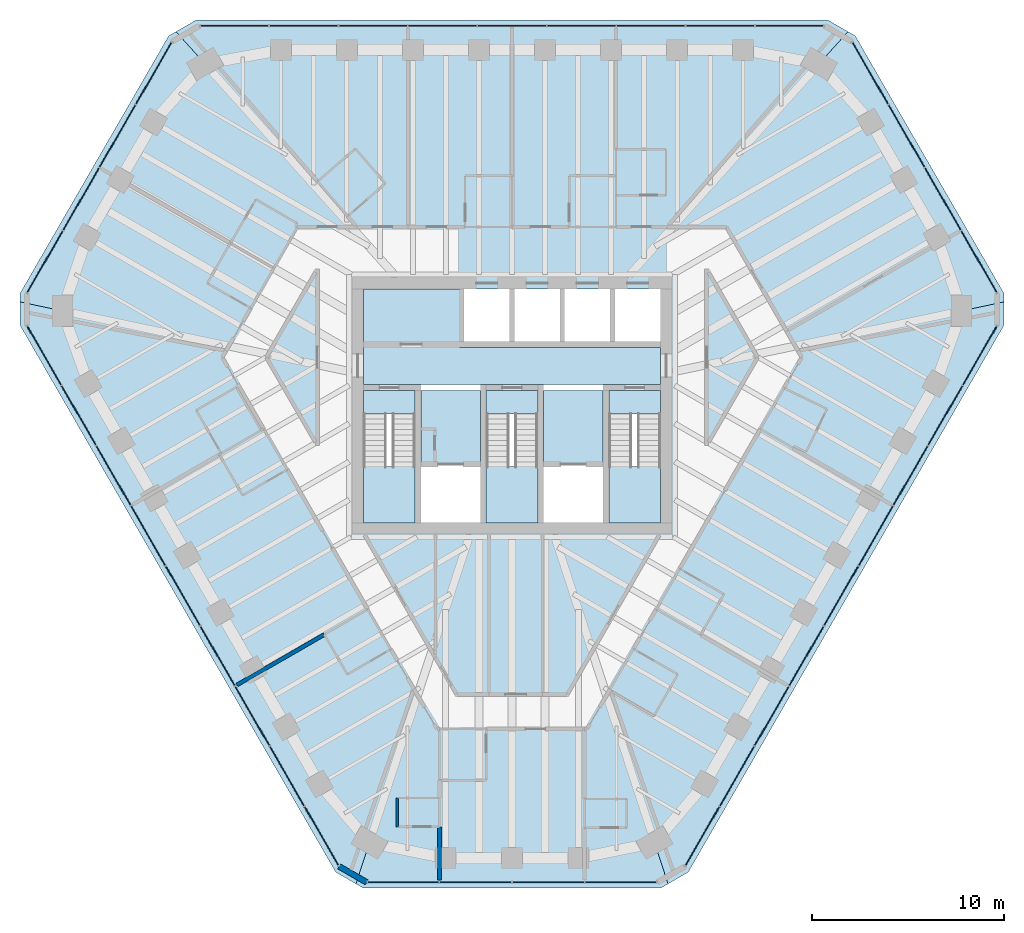
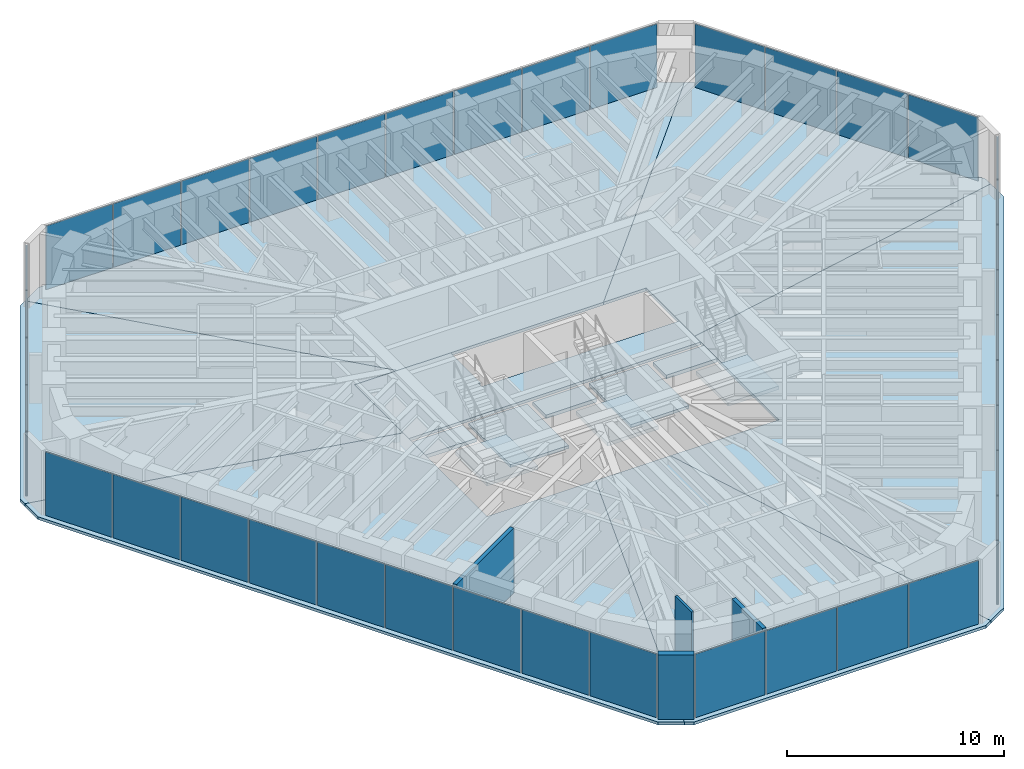
# One storey, part 8 of 14: 39 plates, 15 slabs, 4 walls, 9 elements without a shape of their own.
"""IFC4 building model written with IfcOpenShell, lengths in metres."""

from ifc_helpers import new_model, si_unit, direction, frame, frame_2d, origin, origin_2d, place, context, subcontext, project, spatial, polyline, rectangle, outline, extrude, material, layer, layer_set, type_object, element, aggregate, save


model = new_model("IFC4")

# Units and contexts
model_context = context("Model", 3, precision=1e-05, world=origin(), true_north=direction((0.0, 1.0)))
body_context = subcontext(model_context, "Body", "Model", "MODEL_VIEW")
ifc_project = project(units=[si_unit("LENGTHUNIT", "METRE"), si_unit("AREAUNIT", "SQUARE_METRE"), si_unit("VOLUMEUNIT", "CUBIC_METRE"), si_unit("PLANEANGLEUNIT", "RADIAN"), si_unit("MASSUNIT", "GRAM", prefix="KILO")], contexts=[model_context])

# Site, building, storey
site_placement = place(None, origin())
site = spatial("IfcSite", under=ifc_project, at=site_placement, CompositionType="ELEMENT")
building_placement = place(site_placement, origin())
building = spatial("IfcBuilding", under=site, at=building_placement, Name="Sandreach Pilgrim Tower", CompositionType="ELEMENT")
storey_placement = place(building_placement, frame((0.0, 0.0, 295.0)))
storey = spatial("IfcBuildingStorey", under=building, at=storey_placement, Name="L74", CompositionType="ELEMENT", Elevation=295.0)

# Curtain wall, plates
ifc_material_1 = material(Name="Aluminium framed curtain wall", Category="aluminium")
curtain_wall_type = type_object("IfcCurtainWallType", Name="Suite tower curtain wall", PredefinedType="NOTDEFINED", material=ifc_material_1)
curtain_wall_1_placement = place(storey_placement, origin())
curtain_wall_1 = element("IfcCurtainWall", 1, at=curtain_wall_1_placement, inside=storey, type_object=curtain_wall_type, Name="CW-4 L74 N", PredefinedType="NOTDEFINED")
ifc_material_2 = material(Name="Insulating glass unit 16.76 laminated + 24 argon + 16.76 laminated", Category="glass")
ifc_layer_1 = layer(ifc_material_2, 0.05810546875)
ifc_layer_set_1 = layer_set([ifc_layer_1], Name="CW-4 panel")
plate_type = type_object("IfcPlateType", Name="CW-4 panel", PredefinedType="CURTAIN_PANEL", material=ifc_layer_set_1)
plate_1_placement = place(storey_placement, frame((-14.472412109375, 19.826416015625, 0.0), z_axis=(0.0, 0.0, 1.0), x_axis=(1.0, 0.0, 0.0)))
plate_1 = element("IfcPlate", 2, at=plate_1_placement, type_object=plate_type, Name="CW-4 panel 1", PredefinedType="CURTAIN_PANEL", context=body_context, shape_type="SweptSolid", body=[
    extrude(rectangle(XDim=3.531982421875, YDim=0.05810546875, at=origin_2d()), origin(), (0.0, 0.0, 1.0), 3.570068359375),
])
plate_2_placement = place(storey_placement, frame((-10.865478515625, 19.826416015625, 0.0), z_axis=(0.0, 0.0, 1.0), x_axis=(1.0, 0.0, 0.0)))
plate_2 = element("IfcPlate", 3, at=plate_2_placement, type_object=plate_type, Name="CW-4 panel 2", PredefinedType="CURTAIN_PANEL", context=body_context, shape_type="SweptSolid", body=[
    extrude(rectangle(XDim=3.561767578125, YDim=0.05810546875, at=origin_2d()), origin(), (0.0, 0.0, 1.0), 3.570068359375),
])
plate_3_placement = place(storey_placement, frame((-7.24365234375, 19.826416015625, 0.0), z_axis=(0.0, 0.0, 1.0), x_axis=(1.0, 0.0, 0.0)))
plate_3 = element("IfcPlate", 4, at=plate_3_placement, type_object=plate_type, Name="CW-4 panel 3", PredefinedType="CURTAIN_PANEL", context=body_context, shape_type="SweptSolid", body=[
    extrude(rectangle(XDim=3.561767578125, YDim=0.05810546875, at=origin_2d()), origin(), (0.0, 0.0, 1.0), 3.570068359375),
])
plate_4_placement = place(storey_placement, frame((-3.621826171875, 19.826416015625, 0.0), z_axis=(0.0, 0.0, 1.0), x_axis=(1.0, 0.0, 0.0)))
plate_4 = element("IfcPlate", 5, at=plate_4_placement, type_object=plate_type, Name="CW-4 panel 4", PredefinedType="CURTAIN_PANEL", context=body_context, shape_type="SweptSolid", body=[
    extrude(rectangle(XDim=3.561767578125, YDim=0.05810546875, at=origin_2d()), origin(), (0.0, 0.0, 1.0), 3.570068359375),
])
plate_5_placement = place(storey_placement, frame((0.0, 19.826416015625, 0.0), z_axis=(0.0, 0.0, 1.0), x_axis=(1.0, 0.0, 0.0)))
plate_5 = element("IfcPlate", 6, at=plate_5_placement, type_object=plate_type, Name="CW-4 panel 5", PredefinedType="CURTAIN_PANEL", context=body_context, shape_type="SweptSolid", body=[
    extrude(rectangle(XDim=3.561767578125, YDim=0.05810546875, at=origin_2d()), origin(), (0.0, 0.0, 1.0), 3.570068359375),
])
plate_6_placement = place(storey_placement, frame((3.621826171875, 19.826416015625, 0.0), z_axis=(0.0, 0.0, 1.0), x_axis=(1.0, 0.0, 0.0)))
plate_6 = element("IfcPlate", 7, at=plate_6_placement, type_object=plate_type, Name="CW-4 panel 6", PredefinedType="CURTAIN_PANEL", context=body_context, shape_type="SweptSolid", body=[
    extrude(rectangle(XDim=3.561767578125, YDim=0.05810546875, at=origin_2d()), origin(), (0.0, 0.0, 1.0), 3.570068359375),
])
plate_7_placement = place(storey_placement, frame((7.24365234375, 19.826416015625, 0.0), z_axis=(0.0, 0.0, 1.0), x_axis=(1.0, 0.0, 0.0)))
plate_7 = element("IfcPlate", 8, at=plate_7_placement, type_object=plate_type, Name="CW-4 panel 7", PredefinedType="CURTAIN_PANEL", context=body_context, shape_type="SweptSolid", body=[
    extrude(rectangle(XDim=3.561767578125, YDim=0.05810546875, at=origin_2d()), origin(), (0.0, 0.0, 1.0), 3.570068359375),
])
plate_8_placement = place(storey_placement, frame((10.865478515625, 19.826416015625, 0.0), z_axis=(0.0, 0.0, 1.0), x_axis=(1.0, 0.0, 0.0)))
plate_8 = element("IfcPlate", 9, at=plate_8_placement, type_object=plate_type, Name="CW-4 panel 8", PredefinedType="CURTAIN_PANEL", context=body_context, shape_type="SweptSolid", body=[
    extrude(rectangle(XDim=3.561767578125, YDim=0.05810546875, at=origin_2d()), origin(), (0.0, 0.0, 1.0), 3.570068359375),
])
plate_9_placement = place(storey_placement, frame((14.472412109375, 19.826416015625, 0.0), z_axis=(0.0, 0.0, 1.0), x_axis=(1.0, 0.0, 0.0)))
plate_9 = element("IfcPlate", 10, at=plate_9_placement, type_object=plate_type, Name="CW-4 panel 9", PredefinedType="CURTAIN_PANEL", context=body_context, shape_type="SweptSolid", body=[
    extrude(rectangle(XDim=3.531982421875, YDim=0.05810546875, at=origin_2d()), origin(), (0.0, 0.0, 1.0), 3.570068359375),
])
aggregate(curtain_wall_1, [plate_1, plate_2, plate_3, plate_4, plate_5, plate_6, plate_7, plate_8, plate_9])

curtain_wall_2_placement = place(storey_placement, origin())
curtain_wall_2 = element("IfcCurtainWall", 11, at=curtain_wall_2_placement, inside=storey, type_object=curtain_wall_type, Name="CW-4 L74 NE", PredefinedType="NOTDEFINED")
plate_10_placement = place(storey_placement, frame((18.69140625, 17.341552734375, 0.0), z_axis=(0.0, 0.0, 1.0), x_axis=(0.5, -0.866025403784, 0.0)))
plate_10 = element("IfcPlate", 12, at=plate_10_placement, type_object=plate_type, Name="CW-4 panel 1", PredefinedType="CURTAIN_PANEL", context=body_context, shape_type="SweptSolid", body=[
    extrude(rectangle(XDim=3.70166015625, YDim=0.05810546875, at=origin_2d()), origin(), (0.0, 0.0, 1.0), 3.570068359375),
])
plate_11_placement = place(storey_placement, frame((20.579833984375, 14.07080078125, 0.0), z_axis=(0.0, 0.0, 1.0), x_axis=(0.5, -0.866025403784, 0.0)))
plate_11 = element("IfcPlate", 13, at=plate_11_placement, type_object=plate_type, Name="CW-4 panel 2", PredefinedType="CURTAIN_PANEL", context=body_context, shape_type="SweptSolid", body=[
    extrude(rectangle(XDim=3.731689453125, YDim=0.05810546875, at=origin_2d()), origin(), (0.0, 0.0, 1.0), 3.570068359375),
])
plate_12_placement = place(storey_placement, frame((22.4755859375, 10.787109375, 0.0), z_axis=(0.0, 0.0, 1.0), x_axis=(0.5, -0.866025403784, 0.0)))
plate_12 = element("IfcPlate", 14, at=plate_12_placement, type_object=plate_type, Name="CW-4 panel 3", PredefinedType="CURTAIN_PANEL", context=body_context, shape_type="SweptSolid", body=[
    extrude(rectangle(XDim=3.731689453125, YDim=0.05810546875, at=origin_2d()), origin(), (0.0, 0.0, 1.0), 3.570068359375),
])
plate_13_placement = place(storey_placement, frame((24.364013671875, 7.516357421875, 0.0), z_axis=(0.0, 0.0, 1.0), x_axis=(0.5, -0.866025403784, 0.0)))
plate_13 = element("IfcPlate", 15, at=plate_13_placement, type_object=plate_type, Name="CW-4 panel 4", PredefinedType="CURTAIN_PANEL", context=body_context, shape_type="SweptSolid", body=[
    extrude(rectangle(XDim=3.70166015625, YDim=0.05810546875, at=origin_2d()), origin(), (0.0, 0.0, 1.0), 3.570068359375),
])
aggregate(curtain_wall_2, [plate_10, plate_11, plate_12, plate_13])

curtain_wall_3_placement = place(storey_placement, origin())
curtain_wall_3 = element("IfcCurtainWall", 16, at=curtain_wall_3_placement, inside=storey, type_object=curtain_wall_type, Name="CW-4 L74 SE", PredefinedType="NOTDEFINED")
plate_14_placement = place(storey_placement, frame((24.406494140625, 2.620361328125, 0.0), z_axis=(0.0, 0.0, 1.0), x_axis=(-0.5, -0.866025403784, 0.0)))
plate_14 = element("IfcPlate", 17, at=plate_14_placement, type_object=plate_type, Name="CW-4 panel 1", PredefinedType="CURTAIN_PANEL", context=body_context, shape_type="SweptSolid", body=[
    extrude(rectangle(XDim=3.531982421875, YDim=0.05810546875, at=origin_2d()), origin(), (0.0, 0.0, 1.0), 3.570068359375),
])
plate_15_placement = place(storey_placement, frame((22.60302734375, -0.50341796875, 0.0), z_axis=(0.0, 0.0, 1.0), x_axis=(-0.5, -0.866025403784, 0.0)))
plate_15 = element("IfcPlate", 18, at=plate_15_placement, type_object=plate_type, Name="CW-4 panel 2", PredefinedType="CURTAIN_PANEL", context=body_context, shape_type="SweptSolid", body=[
    extrude(rectangle(XDim=3.561767578125, YDim=0.05810546875, at=origin_2d()), origin(), (0.0, 0.0, 1.0), 3.570068359375),
])
plate_16_placement = place(storey_placement, frame((20.7919921875, -3.639892578125, 0.0), z_axis=(0.0, 0.0, 1.0), x_axis=(-0.5, -0.866025403784, 0.0)))
plate_16 = element("IfcPlate", 19, at=plate_16_placement, type_object=plate_type, Name="CW-4 panel 3", PredefinedType="CURTAIN_PANEL", context=body_context, shape_type="SweptSolid", body=[
    extrude(rectangle(XDim=3.561767578125, YDim=0.05810546875, at=origin_2d()), origin(), (0.0, 0.0, 1.0), 3.570068359375),
])
plate_17_placement = place(storey_placement, frame((18.981201171875, -6.776611328125, 0.0), z_axis=(0.0, 0.0, 1.0), x_axis=(-0.5, -0.866025403784, 0.0)))
plate_17 = element("IfcPlate", 20, at=plate_17_placement, type_object=plate_type, Name="CW-4 panel 4", PredefinedType="CURTAIN_PANEL", context=body_context, shape_type="SweptSolid", body=[
    extrude(rectangle(XDim=3.561767578125, YDim=0.05810546875, at=origin_2d()), origin(), (0.0, 0.0, 1.0), 3.570068359375),
])
plate_18_placement = place(storey_placement, frame((17.170166015625, -9.913330078125, 0.0), z_axis=(0.0, 0.0, 1.0), x_axis=(-0.5, -0.866025403784, 0.0)))
plate_18 = element("IfcPlate", 21, at=plate_18_placement, type_object=plate_type, Name="CW-4 panel 5", PredefinedType="CURTAIN_PANEL", context=body_context, shape_type="SweptSolid", body=[
    extrude(rectangle(XDim=3.561767578125, YDim=0.05810546875, at=origin_2d()), origin(), (0.0, 0.0, 1.0), 3.570068359375),
])
plate_19_placement = place(storey_placement, frame((15.359375, -13.0498046875, 0.0), z_axis=(0.0, 0.0, 1.0), x_axis=(-0.5, -0.866025403784, 0.0)))
plate_19 = element("IfcPlate", 22, at=plate_19_placement, type_object=plate_type, Name="CW-4 panel 6", PredefinedType="CURTAIN_PANEL", context=body_context, shape_type="SweptSolid", body=[
    extrude(rectangle(XDim=3.561767578125, YDim=0.05810546875, at=origin_2d()), origin(), (0.0, 0.0, 1.0), 3.570068359375),
])
plate_20_placement = place(storey_placement, frame((13.54833984375, -16.1865234375, 0.0), z_axis=(0.0, 0.0, 1.0), x_axis=(-0.5, -0.866025403784, 0.0)))
plate_20 = element("IfcPlate", 23, at=plate_20_placement, type_object=plate_type, Name="CW-4 panel 7", PredefinedType="CURTAIN_PANEL", context=body_context, shape_type="SweptSolid", body=[
    extrude(rectangle(XDim=3.561767578125, YDim=0.05810546875, at=origin_2d()), origin(), (0.0, 0.0, 1.0), 3.570068359375),
])
plate_21_placement = place(storey_placement, frame((11.7373046875, -19.322998046875, 0.0), z_axis=(0.0, 0.0, 1.0), x_axis=(-0.5, -0.866025403784, 0.0)))
plate_21 = element("IfcPlate", 24, at=plate_21_placement, type_object=plate_type, Name="CW-4 panel 8", PredefinedType="CURTAIN_PANEL", context=body_context, shape_type="SweptSolid", body=[
    extrude(rectangle(XDim=3.561767578125, YDim=0.05810546875, at=origin_2d()), origin(), (0.0, 0.0, 1.0), 3.570068359375),
])
plate_22_placement = place(storey_placement, frame((9.93408203125, -22.44677734375, 0.0), z_axis=(0.0, 0.0, 1.0), x_axis=(-0.5, -0.866025403784, 0.0)))
plate_22 = element("IfcPlate", 25, at=plate_22_placement, type_object=plate_type, Name="CW-4 panel 9", PredefinedType="CURTAIN_PANEL", context=body_context, shape_type="SweptSolid", body=[
    extrude(rectangle(XDim=3.531982421875, YDim=0.05810546875, at=origin_2d()), origin(), (0.0, 0.0, 1.0), 3.570068359375),
])
aggregate(curtain_wall_3, [plate_14, plate_15, plate_16, plate_17, plate_18, plate_19, plate_20, plate_21, plate_22])

curtain_wall_4_placement = place(storey_placement, origin())
curtain_wall_4 = element("IfcCurtainWall", 26, at=curtain_wall_4_placement, inside=storey, type_object=curtain_wall_type, Name="CW-4 L74 S", PredefinedType="NOTDEFINED")
plate_23_placement = place(storey_placement, frame((5.672607421875, -24.858154296875, 0.0), z_axis=(0.0, 0.0, 1.0), x_axis=(-1.0, 0.0, 0.0)))
plate_23 = element("IfcPlate", 27, at=plate_23_placement, type_object=plate_type, Name="CW-4 panel 1", PredefinedType="CURTAIN_PANEL", context=body_context, shape_type="SweptSolid", body=[
    extrude(rectangle(XDim=3.70166015625, YDim=0.05810546875, at=origin_2d()), origin(), (0.0, 0.0, 1.0), 3.570068359375),
])
plate_24_placement = place(storey_placement, frame((1.895751953125, -24.858154296875, 0.0), z_axis=(0.0, 0.0, 1.0), x_axis=(-1.0, 0.0, 0.0)))
plate_24 = element("IfcPlate", 28, at=plate_24_placement, type_object=plate_type, Name="CW-4 panel 2", PredefinedType="CURTAIN_PANEL", context=body_context, shape_type="SweptSolid", body=[
    extrude(rectangle(XDim=3.731689453125, YDim=0.05810546875, at=origin_2d()), origin(), (0.0, 0.0, 1.0), 3.570068359375),
])
plate_25_placement = place(storey_placement, frame((-1.895751953125, -24.858154296875, 0.0), z_axis=(0.0, 0.0, 1.0), x_axis=(-1.0, 0.0, 0.0)))
plate_25 = element("IfcPlate", 29, at=plate_25_placement, type_object=plate_type, Name="CW-4 panel 3", PredefinedType="CURTAIN_PANEL", context=body_context, shape_type="SweptSolid", body=[
    extrude(rectangle(XDim=3.731689453125, YDim=0.05810546875, at=origin_2d()), origin(), (0.0, 0.0, 1.0), 3.570068359375),
])
plate_26_placement = place(storey_placement, frame((-5.672607421875, -24.858154296875, 0.0), z_axis=(0.0, 0.0, 1.0), x_axis=(-1.0, 0.0, 0.0)))
plate_26 = element("IfcPlate", 30, at=plate_26_placement, type_object=plate_type, Name="CW-4 panel 4", PredefinedType="CURTAIN_PANEL", context=body_context, shape_type="SweptSolid", body=[
    extrude(rectangle(XDim=3.70166015625, YDim=0.05810546875, at=origin_2d()), origin(), (0.0, 0.0, 1.0), 3.570068359375),
])
aggregate(curtain_wall_4, [plate_23, plate_24, plate_25, plate_26])

curtain_wall_5_placement = place(storey_placement, origin())
curtain_wall_5 = element("IfcCurtainWall", 31, at=curtain_wall_5_placement, inside=storey, type_object=curtain_wall_type, Name="CW-4 L74 SW", PredefinedType="NOTDEFINED")
plate_27_placement = place(storey_placement, frame((-9.93408203125, -22.44677734375, 0.0), z_axis=(0.0, 0.0, 1.0), x_axis=(-0.5, 0.866025403784, 0.0)))
plate_27 = element("IfcPlate", 32, at=plate_27_placement, type_object=plate_type, Name="CW-4 panel 1", PredefinedType="CURTAIN_PANEL", context=body_context, shape_type="SweptSolid", body=[
    extrude(rectangle(XDim=3.531982421875, YDim=0.05810546875, at=origin_2d()), origin(), (0.0, 0.0, 1.0), 3.570068359375),
])
plate_28_placement = place(storey_placement, frame((-11.7373046875, -19.322998046875, 0.0), z_axis=(0.0, 0.0, 1.0), x_axis=(-0.5, 0.866025403784, 0.0)))
plate_28 = element("IfcPlate", 33, at=plate_28_placement, type_object=plate_type, Name="CW-4 panel 2", PredefinedType="CURTAIN_PANEL", context=body_context, shape_type="SweptSolid", body=[
    extrude(rectangle(XDim=3.561767578125, YDim=0.05810546875, at=origin_2d()), origin(), (0.0, 0.0, 1.0), 3.570068359375),
])
plate_29_placement = place(storey_placement, frame((-13.54833984375, -16.1865234375, 0.0), z_axis=(0.0, 0.0, 1.0), x_axis=(-0.5, 0.866025403784, 0.0)))
plate_29 = element("IfcPlate", 34, at=plate_29_placement, type_object=plate_type, Name="CW-4 panel 3", PredefinedType="CURTAIN_PANEL", context=body_context, shape_type="SweptSolid", body=[
    extrude(rectangle(XDim=3.561767578125, YDim=0.05810546875, at=origin_2d()), origin(), (0.0, 0.0, 1.0), 3.570068359375),
])
plate_30_placement = place(storey_placement, frame((-15.359375, -13.0498046875, 0.0), z_axis=(0.0, 0.0, 1.0), x_axis=(-0.5, 0.866025403784, 0.0)))
plate_30 = element("IfcPlate", 35, at=plate_30_placement, type_object=plate_type, Name="CW-4 panel 4", PredefinedType="CURTAIN_PANEL", context=body_context, shape_type="SweptSolid", body=[
    extrude(rectangle(XDim=3.561767578125, YDim=0.05810546875, at=origin_2d()), origin(), (0.0, 0.0, 1.0), 3.570068359375),
])
plate_31_placement = place(storey_placement, frame((-17.170166015625, -9.913330078125, 0.0), z_axis=(0.0, 0.0, 1.0), x_axis=(-0.5, 0.866025403784, 0.0)))
plate_31 = element("IfcPlate", 36, at=plate_31_placement, type_object=plate_type, Name="CW-4 panel 5", PredefinedType="CURTAIN_PANEL", context=body_context, shape_type="SweptSolid", body=[
    extrude(rectangle(XDim=3.561767578125, YDim=0.05810546875, at=origin_2d()), origin(), (0.0, 0.0, 1.0), 3.570068359375),
])
plate_32_placement = place(storey_placement, frame((-18.981201171875, -6.776611328125, 0.0), z_axis=(0.0, 0.0, 1.0), x_axis=(-0.5, 0.866025403784, 0.0)))
plate_32 = element("IfcPlate", 37, at=plate_32_placement, type_object=plate_type, Name="CW-4 panel 6", PredefinedType="CURTAIN_PANEL", context=body_context, shape_type="SweptSolid", body=[
    extrude(rectangle(XDim=3.561767578125, YDim=0.05810546875, at=origin_2d()), origin(), (0.0, 0.0, 1.0), 3.570068359375),
])
plate_33_placement = place(storey_placement, frame((-20.7919921875, -3.639892578125, 0.0), z_axis=(0.0, 0.0, 1.0), x_axis=(-0.5, 0.866025403784, 0.0)))
plate_33 = element("IfcPlate", 38, at=plate_33_placement, type_object=plate_type, Name="CW-4 panel 7", PredefinedType="CURTAIN_PANEL", context=body_context, shape_type="SweptSolid", body=[
    extrude(rectangle(XDim=3.561767578125, YDim=0.05810546875, at=origin_2d()), origin(), (0.0, 0.0, 1.0), 3.570068359375),
])
plate_34_placement = place(storey_placement, frame((-22.60302734375, -0.50341796875, 0.0), z_axis=(0.0, 0.0, 1.0), x_axis=(-0.5, 0.866025403784, 0.0)))
plate_34 = element("IfcPlate", 39, at=plate_34_placement, type_object=plate_type, Name="CW-4 panel 8", PredefinedType="CURTAIN_PANEL", context=body_context, shape_type="SweptSolid", body=[
    extrude(rectangle(XDim=3.561767578125, YDim=0.05810546875, at=origin_2d()), origin(), (0.0, 0.0, 1.0), 3.570068359375),
])
plate_35_placement = place(storey_placement, frame((-24.406494140625, 2.620361328125, 0.0), z_axis=(0.0, 0.0, 1.0), x_axis=(-0.5, 0.866025403784, 0.0)))
plate_35 = element("IfcPlate", 40, at=plate_35_placement, type_object=plate_type, Name="CW-4 panel 9", PredefinedType="CURTAIN_PANEL", context=body_context, shape_type="SweptSolid", body=[
    extrude(rectangle(XDim=3.531982421875, YDim=0.05810546875, at=origin_2d()), origin(), (0.0, 0.0, 1.0), 3.570068359375),
])
aggregate(curtain_wall_5, [plate_27, plate_28, plate_29, plate_30, plate_31, plate_32, plate_33, plate_34, plate_35])

curtain_wall_6_placement = place(storey_placement, origin())
curtain_wall_6 = element("IfcCurtainWall", 41, at=curtain_wall_6_placement, inside=storey, type_object=curtain_wall_type, Name="CW-4 L74 NW", PredefinedType="NOTDEFINED")
plate_36_placement = place(storey_placement, frame((-24.364013671875, 7.516357421875, 0.0), z_axis=(0.0, 0.0, 1.0), x_axis=(0.5, 0.866025403784, 0.0)))
plate_36 = element("IfcPlate", 42, at=plate_36_placement, type_object=plate_type, Name="CW-4 panel 1", PredefinedType="CURTAIN_PANEL", context=body_context, shape_type="SweptSolid", body=[
    extrude(rectangle(XDim=3.70166015625, YDim=0.05810546875, at=origin_2d()), origin(), (0.0, 0.0, 1.0), 3.570068359375),
])
plate_37_placement = place(storey_placement, frame((-22.4755859375, 10.787109375, 0.0), z_axis=(0.0, 0.0, 1.0), x_axis=(0.5, 0.866025403784, 0.0)))
plate_37 = element("IfcPlate", 43, at=plate_37_placement, type_object=plate_type, Name="CW-4 panel 2", PredefinedType="CURTAIN_PANEL", context=body_context, shape_type="SweptSolid", body=[
    extrude(rectangle(XDim=3.731689453125, YDim=0.05810546875, at=origin_2d()), origin(), (0.0, 0.0, 1.0), 3.570068359375),
])
plate_38_placement = place(storey_placement, frame((-20.579833984375, 14.07080078125, 0.0), z_axis=(0.0, 0.0, 1.0), x_axis=(0.5, 0.866025403784, 0.0)))
plate_38 = element("IfcPlate", 44, at=plate_38_placement, type_object=plate_type, Name="CW-4 panel 3", PredefinedType="CURTAIN_PANEL", context=body_context, shape_type="SweptSolid", body=[
    extrude(rectangle(XDim=3.731689453125, YDim=0.05810546875, at=origin_2d()), origin(), (0.0, 0.0, 1.0), 3.570068359375),
])
plate_39_placement = place(storey_placement, frame((-18.69140625, 17.341552734375, 0.0), z_axis=(0.0, 0.0, 1.0), x_axis=(0.5, 0.866025403784, 0.0)))
plate_39 = element("IfcPlate", 45, at=plate_39_placement, type_object=plate_type, Name="CW-4 panel 4", PredefinedType="CURTAIN_PANEL", context=body_context, shape_type="SweptSolid", body=[
    extrude(rectangle(XDim=3.70166015625, YDim=0.05810546875, at=origin_2d()), origin(), (0.0, 0.0, 1.0), 3.570068359375),
])
aggregate(curtain_wall_6, [plate_36, plate_37, plate_38, plate_39])

# Slabs
ifc_material_3 = material(Name="Concrete 8000 psi", Category="concrete")
ifc_layer_2 = layer(ifc_material_3, 0.159912109375)
ifc_layer_set_2 = layer_set([ifc_layer_2], Name="Composite floor slab 160")
slab_type_1 = type_object("IfcSlabType", Name="Composite floor slab 160", PredefinedType="FLOOR", material=ifc_layer_set_2)
slab_1_placement = place(storey_placement, frame((0.0, 0.0, -0.159912109375)))
element("IfcSlab", 46, at=slab_1_placement, inside=storey, type_object=slab_type_1, Name="Floor slab L74 N sector", PredefinedType="FLOOR", context=body_context, shape_type="SweptSolid", body=[
    extrude(outline(polyline([(-16.4716796875, 20.12646484375), (16.4716796875, 20.12646484375), (17.52587890625, 19.517822265625), (5.477294921875, 6.10009765625), (-5.477294921875, 6.10009765625), (-17.52587890625, 19.517822265625), (-16.4716796875, 20.12646484375)])), origin(), (0.0, 0.0, 1.0), 0.159912109375),
])
slab_2_placement = place(storey_placement, frame((0.0, 0.0, -0.159912109375)))
element("IfcSlab", 47, at=slab_2_placement, inside=storey, type_object=slab_type_1, Name="Floor slab L74 NE sector", PredefinedType="FLOOR", context=body_context, shape_type="SweptSolid", body=[
    extrude(outline(polyline([(17.9091796875, 19.29638671875), (25.665771484375, 5.861572265625), (25.665771484375, 5.4189453125), (7.75, 1.63623046875), (7.75, 6.10009765625), (5.477294921875, 6.10009765625), (17.52587890625, 19.517822265625), (17.9091796875, 19.29638671875)])), origin(), (0.0, 0.0, 1.0), 0.159912109375),
])
slab_3_placement = place(storey_placement, frame((0.0, 0.0, -0.159912109375)))
element("IfcSlab", 48, at=slab_3_placement, inside=storey, type_object=slab_type_1, Name="Floor slab L74 SE sector", PredefinedType="FLOOR", context=body_context, shape_type="SweptSolid", body=[
    extrude(outline(polyline([(25.665771484375, 4.20166015625), (9.194091796875, -24.327880859375), (8.139892578125, -24.936767578125), (1.9912109375, -6.10009765625), (7.75, -6.10009765625), (7.75, 1.63623046875), (25.665771484375, 5.4189453125), (25.665771484375, 4.20166015625)])), origin(), (0.0, 0.0, 1.0), 0.159912109375),
])
slab_4_placement = place(storey_placement, frame((0.0, 0.0, -0.159912109375)))
element("IfcSlab", 49, at=slab_4_placement, inside=storey, type_object=slab_type_1, Name="Floor slab L74 S sector", PredefinedType="FLOOR", context=body_context, shape_type="SweptSolid", body=[
    extrude(outline(polyline([(7.756591796875, -25.157958984375), (-7.756591796875, -25.157958984375), (-8.139892578125, -24.936767578125), (-1.9912109375, -6.10009765625), (1.9912109375, -6.10009765625), (8.139892578125, -24.936767578125), (7.756591796875, -25.157958984375)])), origin(), (0.0, 0.0, 1.0), 0.159912109375),
])
slab_5_placement = place(storey_placement, frame((0.0, 0.0, -0.159912109375)))
element("IfcSlab", 50, at=slab_5_placement, inside=storey, type_object=slab_type_1, Name="Floor slab L74 SW sector", PredefinedType="FLOOR", context=body_context, shape_type="SweptSolid", body=[
    extrude(outline(polyline([(-9.194091796875, -24.327880859375), (-25.665771484375, 4.20166015625), (-25.665771484375, 5.4189453125), (-7.75, 1.63623046875), (-7.75, -6.10009765625), (-1.9912109375, -6.10009765625), (-8.139892578125, -24.936767578125), (-9.194091796875, -24.327880859375)])), origin(), (0.0, 0.0, 1.0), 0.159912109375),
])
slab_6_placement = place(storey_placement, frame((0.0, 0.0, -0.159912109375)))
element("IfcSlab", 51, at=slab_6_placement, inside=storey, type_object=slab_type_1, Name="Floor slab L74 NW sector", PredefinedType="FLOOR", context=body_context, shape_type="SweptSolid", body=[
    extrude(outline(polyline([(-25.665771484375, 5.861572265625), (-17.9091796875, 19.29638671875), (-17.52587890625, 19.517822265625), (-5.477294921875, 6.10009765625), (-7.75, 6.10009765625), (-7.75, 1.63623046875), (-25.665771484375, 5.4189453125), (-25.665771484375, 5.861572265625)])), origin(), (0.0, 0.0, 1.0), 0.159912109375),
])
slab_7_placement = place(storey_placement, frame((0.0, 0.0, -0.159912109375)))
element("IfcSlab", 52, at=slab_7_placement, inside=storey, type_object=slab_type_1, Name="Core floor slab L74", PredefinedType="FLOOR", context=body_context, shape_type="SweptSolid", body=[
    extrude(outline(polyline([(-2.75, 3.35009765625), (-2.75, 3.050048828125), (-0.125, 3.050048828125), (0.125, 3.050048828125), (2.5, 3.050048828125), (2.75, 3.050048828125), (5.125, 3.050048828125), (5.375, 3.050048828125), (7.75, 3.050048828125), (7.75, 1.10009765625), (5.050048828125, 1.10009765625), (4.75, 1.10009765625), (1.64990234375, 1.10009765625), (1.35009765625, 1.10009765625), (-1.35009765625, 1.10009765625), (-1.64990234375, 1.10009765625), (-4.75, 1.10009765625), (-5.050048828125, 1.10009765625), (-7.75, 1.10009765625), (-7.75, 6.10009765625), (-2.64990234375, 6.10009765625), (-2.64990234375, 3.35009765625), (-2.75, 3.35009765625)])), origin(), (0.0, 0.0, 1.0), 0.159912109375),
])
slab_8_placement = place(storey_placement, frame((0.0, 0.0, -0.159912109375)))
element("IfcSlab", 53, at=slab_8_placement, inside=storey, type_object=slab_type_1, Name="Core floor slab L74 2", PredefinedType="FLOOR", context=body_context, shape_type="SweptSolid", body=[
    extrude(outline(polyline([(-1.64990234375, -3.050048828125), (-4.75, -3.050048828125), (-4.75, 0.800048828125), (-1.64990234375, 0.800048828125), (-1.64990234375, -3.050048828125)])), origin(), (0.0, 0.0, 1.0), 0.159912109375),
])
slab_9_placement = place(storey_placement, frame((0.0, 0.0, -0.159912109375)))
element("IfcSlab", 54, at=slab_9_placement, inside=storey, type_object=slab_type_1, Name="Core floor slab L74 3", PredefinedType="FLOOR", context=body_context, shape_type="SweptSolid", body=[
    extrude(outline(polyline([(4.75, -3.050048828125), (1.64990234375, -3.050048828125), (1.64990234375, 0.800048828125), (4.75, 0.800048828125), (4.75, -3.050048828125)])), origin(), (0.0, 0.0, 1.0), 0.159912109375),
])

# Stair, slabs
ifc_material_4 = material(Name="Concrete 8000 psi", Category="concrete")
stair_type = type_object("IfcStairType", Name="Core exit stair", PredefinedType="HALF_TURN_STAIR", material=ifc_material_4)
stair_1_placement = place(storey_placement, origin())
stair_1 = element("IfcStair", 55, at=stair_1_placement, inside=storey, type_object=stair_type, Name="Exit stair ST1 L74", PredefinedType="HALF_TURN_STAIR")
ifc_material_5 = material(Name="Concrete 8000 psi", Category="concrete")
ifc_layer_3 = layer(ifc_material_5, 0.199951171875)
ifc_layer_set_3 = layer_set([ifc_layer_3], Name="Core stair landing 200")
slab_type_2 = type_object("IfcSlabType", Name="Core stair landing 200", PredefinedType="LANDING", material=ifc_layer_set_3)
slab_10_placement = place(storey_placement, frame((0.0, 0.0, -0.199951171875)))
slab_10 = element("IfcSlab", 56, at=slab_10_placement, type_object=slab_type_2, Name="ST1 landing 1", PredefinedType="LANDING", context=body_context, shape_type="SweptSolid", body=[
    extrude(outline(polyline([(-7.75, -0.425048828125), (-5.050048828125, -0.425048828125), (-5.050048828125, 0.800048828125), (-7.75, 0.800048828125), (-7.75, -0.425048828125)])), origin(), (0.0, 0.0, 1.0), 0.199951171875),
])
slab_11_placement = place(storey_placement, frame((0.0, 0.0, 1.699951171875)))
slab_11 = element("IfcSlab", 57, at=slab_11_placement, type_object=slab_type_2, Name="ST1 landing 2", PredefinedType="LANDING", context=body_context, shape_type="SweptSolid", body=[
    extrude(outline(polyline([(-7.75, -6.10009765625), (-5.050048828125, -6.10009765625), (-5.050048828125, -3.175048828125), (-7.75, -3.175048828125), (-7.75, -6.10009765625)])), origin(), (0.0, 0.0, 1.0), 0.199951171875),
])
aggregate(stair_1, [slab_10, slab_11])

stair_2_placement = place(storey_placement, origin())
stair_2 = element("IfcStair", 58, at=stair_2_placement, inside=storey, type_object=stair_type, Name="Exit stair ST3 L74", PredefinedType="HALF_TURN_STAIR")
slab_12_placement = place(storey_placement, frame((0.0, 0.0, -0.199951171875)))
slab_12 = element("IfcSlab", 59, at=slab_12_placement, type_object=slab_type_2, Name="ST3 landing 1", PredefinedType="LANDING", context=body_context, shape_type="SweptSolid", body=[
    extrude(outline(polyline([(-1.35009765625, -0.425048828125), (1.35009765625, -0.425048828125), (1.35009765625, 0.800048828125), (-1.35009765625, 0.800048828125), (-1.35009765625, -0.425048828125)])), origin(), (0.0, 0.0, 1.0), 0.199951171875),
])
slab_13_placement = place(storey_placement, frame((0.0, 0.0, 1.699951171875)))
slab_13 = element("IfcSlab", 60, at=slab_13_placement, type_object=slab_type_2, Name="ST3 landing 2", PredefinedType="LANDING", context=body_context, shape_type="SweptSolid", body=[
    extrude(outline(polyline([(-1.35009765625, -6.10009765625), (1.35009765625, -6.10009765625), (1.35009765625, -3.175048828125), (-1.35009765625, -3.175048828125), (-1.35009765625, -6.10009765625)])), origin(), (0.0, 0.0, 1.0), 0.199951171875),
])
aggregate(stair_2, [slab_12, slab_13])

stair_3_placement = place(storey_placement, origin())
stair_3 = element("IfcStair", 61, at=stair_3_placement, inside=storey, type_object=stair_type, Name="Exit stair ST2 L74", PredefinedType="HALF_TURN_STAIR")
slab_14_placement = place(storey_placement, frame((0.0, 0.0, -0.199951171875)))
slab_14 = element("IfcSlab", 62, at=slab_14_placement, type_object=slab_type_2, Name="ST2 landing 1", PredefinedType="LANDING", context=body_context, shape_type="SweptSolid", body=[
    extrude(outline(polyline([(5.050048828125, -0.425048828125), (7.75, -0.425048828125), (7.75, 0.800048828125), (5.050048828125, 0.800048828125), (5.050048828125, -0.425048828125)])), origin(), (0.0, 0.0, 1.0), 0.199951171875),
])
slab_15_placement = place(storey_placement, frame((0.0, 0.0, 1.699951171875)))
slab_15 = element("IfcSlab", 63, at=slab_15_placement, type_object=slab_type_2, Name="ST2 landing 2", PredefinedType="LANDING", context=body_context, shape_type="SweptSolid", body=[
    extrude(outline(polyline([(5.050048828125, -6.10009765625), (7.75, -6.10009765625), (7.75, -3.175048828125), (5.050048828125, -3.175048828125), (5.050048828125, -6.10009765625)])), origin(), (0.0, 0.0, 1.0), 0.199951171875),
])
aggregate(stair_3, [slab_14, slab_15])

# Walls
ifc_material_6 = material(Name="Moisture-resistant gypsum board on steel studs", Category="steel")
ifc_layer_4 = layer(ifc_material_6, 0.1201171875)
ifc_layer_set_4 = layer_set([ifc_layer_4], Name="Bathroom partition 120")
wall_type_1 = type_object("IfcWallType", Name="Bathroom partition 120", PredefinedType="PARTITIONING", material=ifc_layer_set_4)
wall_1_placement = place(storey_placement, frame((-5.989990234375, -20.4599609375, 0.0), z_axis=(0.0, 0.0, 1.0), x_axis=(0.0, -1.0, 0.0)))
element("IfcWall", 64, at=wall_1_placement, inside=storey, type_object=wall_type_1, Name="Bathroom partition L74-043", PredefinedType="PARTITIONING", context=body_context, shape_type="SweptSolid", body=[
    extrude(rectangle(XDim=1.5, YDim=0.1201171875, at=frame_2d((0.75, 0.0))), origin(), (0.0, 0.0, 1.0), 3.639892578125),
])
ifc_material_7 = material(Name="Double steel stud acoustic wall, gypsum board", Category="steel")
ifc_layer_5 = layer(ifc_material_7, 0.199951171875)
ifc_layer_set_5 = layer_set([ifc_layer_5], Name="Party wall 200")
wall_type_2 = type_object("IfcWallType", Name="Party wall 200", PredefinedType="PARTITIONING", material=ifc_layer_set_5)
wall_2_placement = place(storey_placement, frame((-14.34619140625, -14.56005859375, 0.0), z_axis=(0.0, 0.0, 1.0), x_axis=(0.8660557602, 0.49994741746, 0.0)))
element("IfcWall", 65, at=wall_2_placement, inside=storey, type_object=wall_type_2, Name="Party wall L74-016", PredefinedType="PARTITIONING", context=body_context, shape_type="SweptSolid", body=[
    extrude(rectangle(XDim=5.2607421875, YDim=0.199951171875, at=frame_2d((2.63037109375, 0.0))), origin(), (0.0, 0.0, 1.0), 3.639892578125),
])
wall_3_placement = place(storey_placement, frame((-3.7900390625, -24.739990234375, 0.0), z_axis=(0.0, 0.0, 1.0), x_axis=(0.0, 1.0, 0.0)))
element("IfcWall", 66, at=wall_3_placement, inside=storey, type_object=wall_type_2, Name="Party wall L74-051", PredefinedType="PARTITIONING", context=body_context, shape_type="SweptSolid", body=[
    extrude(rectangle(XDim=2.780029296875, YDim=0.199951171875, at=frame_2d((1.39013671875, 0.0))), origin(), (0.0, 0.0, 1.0), 3.639892578125),
])
ifc_material_8 = material(Name="Terracotta rainscreen on concrete", Category="masonry")
ifc_layer_6 = layer(ifc_material_8, 0.300048828125)
ifc_layer_set_6 = layer_set([ifc_layer_6], Name="Terracotta chamfer pier")
wall_type_3 = type_object("IfcWallType", Name="Terracotta chamfer pier", PredefinedType="SOLIDWALL", material=ifc_layer_set_6)
wall_4_placement = place(storey_placement, frame((-7.58349609375, -24.858154296875, 0.0), z_axis=(0.0, 0.0, 1.0), x_axis=(-0.865989634427, 0.500061949227, 0.0)))
element("IfcWall", 67, at=wall_4_placement, inside=storey, type_object=wall_type_3, Name="Chamfer pier L74 S", PredefinedType="SOLIDWALL", context=body_context, shape_type="SweptSolid", body=[
    extrude(rectangle(XDim=1.659912109375, YDim=0.300048828125, at=frame_2d((0.830078125, 0.0))), origin(), (0.0, 0.0, 1.0), 3.639892578125),
])

save(model, "model.ifc")
